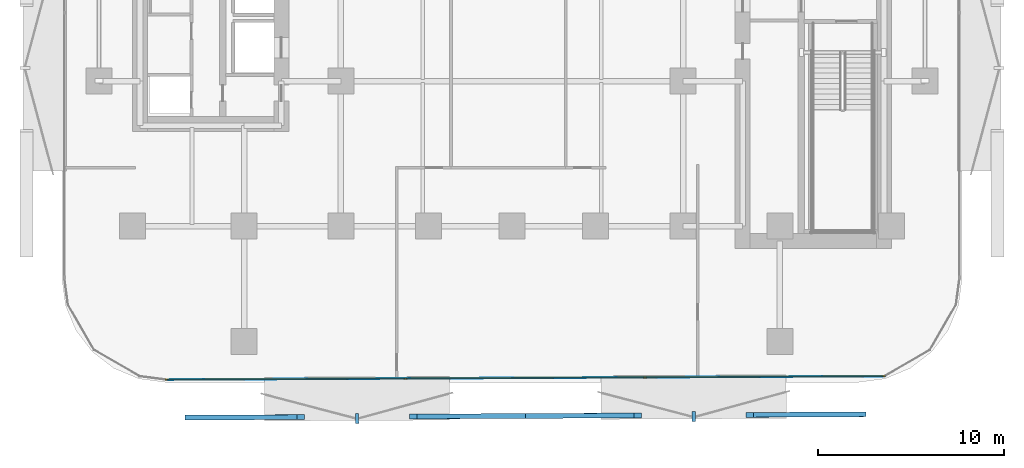
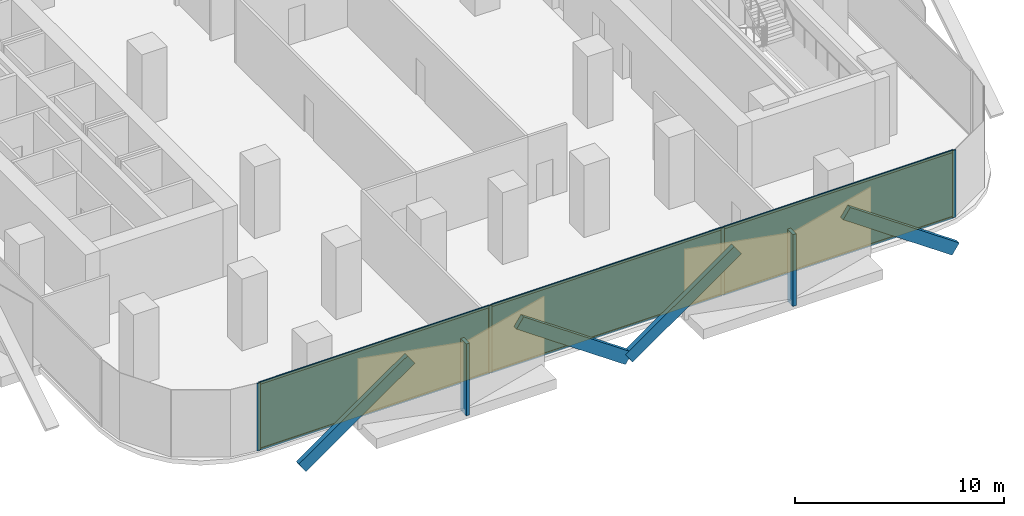
# One storey, part 7 of 15: 16 members, 3 plates, 1 curtain wall.
"""IFC4 building model written with IfcOpenShell, lengths in metres."""

from ifc_helpers import new_model, si_unit, direction, frame, frame_2d, origin, origin_2d, place, context, subcontext, project, spatial, rectangle, extrude, material, layer, layer_set, material_profile, profile_set, type_object, element, aggregate, save


model = new_model("IFC4")

# Units and contexts
model_context = context("Model", 3, precision=1e-05, world=origin(), true_north=direction((0.0, 1.0)))
body_context = subcontext(model_context, "Body", "Model", "MODEL_VIEW")
ifc_project = project(units=[si_unit("LENGTHUNIT", "METRE"), si_unit("AREAUNIT", "SQUARE_METRE"), si_unit("VOLUMEUNIT", "CUBIC_METRE"), si_unit("PLANEANGLEUNIT", "RADIAN"), si_unit("MASSUNIT", "GRAM", prefix="KILO")], contexts=[model_context])

# Member
ifc_material_1 = material(Name="Anodised Bronze Aluminium 6063-T6", Category="aluminium")
ifc_material_profile_1 = material_profile(ifc_material_1, rectangle(XDim=0.260009765625, YDim=0.699951171875, at=origin_2d()))
ifc_profile_set_1 = profile_set([ifc_material_profile_1], Name="Anodised Bronze Aluminium 6063-T6")
member_type_1 = type_object("IfcMemberType", Name="Bronze Diamond Solar-Screen Lattice Rib BDL-700", PredefinedType="MULLION", material=ifc_profile_set_1)
site_placement = place(None, origin())
building_placement = place(site_placement, origin())
storey_placement = place(building_placement, frame((0.0, 0.0, 38.60009765625)))
member_1_placement = place(storey_placement, frame((18.82275390625, -28.718505859375, -0.130126953125), z_axis=(-0.820743653079, -0.003984998518, 0.57128274586), x_axis=(-0.00764700594, 0.999962717129, -0.004010941449)))
member_1 = element("IfcMember", 1, at=member_1_placement, type_object=member_type_1, Name="L09 Bronze Diamond Solar Screen Lattice Rib 25A", PredefinedType="MULLION", context=body_context, shape_type="SweptSolid", body=[
    extrude(rectangle(XDim=0.260009765625, YDim=0.699951171875, at=origin_2d()), origin(), (0.0, 0.0, 1.0), 7.351806640625),
])

member_2_placement = place(storey_placement, frame((0.720947265625, -28.806396484375, -0.130126953125), z_axis=(0.820743653079, 0.003984998518, 0.57128274586), x_axis=(0.00764700594, -0.999962717129, -0.004010941449)))
member_2 = element("IfcMember", 2, at=member_2_placement, type_object=member_type_1, Name="L09 Bronze Diamond Solar Screen Lattice Rib 25B", PredefinedType="MULLION", context=body_context, shape_type="SweptSolid", body=[
    extrude(rectangle(XDim=0.260009765625, YDim=0.699951171875, at=origin_2d()), origin(), (0.0, 0.0, 1.0), 7.351806640625),
])

member_3_placement = place(storey_placement, frame((0.720947265625, -28.806396484375, -0.130126953125), z_axis=(-0.820743653079, -0.003984998518, 0.57128274586), x_axis=(-0.00764700594, 0.999962717129, -0.004010941449)))
member_3 = element("IfcMember", 3, at=member_3_placement, type_object=member_type_1, Name="L09 Bronze Diamond Solar Screen Lattice Rib 26A", PredefinedType="MULLION", context=body_context, shape_type="SweptSolid", body=[
    extrude(rectangle(XDim=0.260009765625, YDim=0.699951171875, at=origin_2d()), origin(), (0.0, 0.0, 1.0), 7.351806640625),
])

member_4_placement = place(storey_placement, frame((-17.380859375, -28.894287109375, -0.130126953125), z_axis=(0.820743653079, 0.003984998518, 0.57128274586), x_axis=(0.00764700594, -0.999962717129, -0.004010941449)))
member_4 = element("IfcMember", 4, at=member_4_placement, type_object=member_type_1, Name="L09 Bronze Diamond Solar Screen Lattice Rib 26B", PredefinedType="MULLION", context=body_context, shape_type="SweptSolid", body=[
    extrude(rectangle(XDim=0.260009765625, YDim=0.699951171875, at=origin_2d()), origin(), (0.0, 0.0, 1.0), 7.351806640625),
])

ifc_material_2 = material(Name="Anodised Bronze Aluminium 6063-T6", Category="aluminium")
ifc_material_profile_2 = material_profile(ifc_material_2, rectangle(XDim=0.179931640625, YDim=0.5400390625, at=origin_2d()))
ifc_profile_set_2 = profile_set([ifc_material_profile_2], Name="Anodised Bronze Aluminium 6063-T6")
member_type_2 = type_object("IfcMemberType", Name="Bronze Solar-Screen Vertical Fold Fin BSF-540", PredefinedType="MULLION", material=ifc_profile_set_2)
member_5_placement = place(storey_placement, frame((9.772216796875, -28.842529296875, -0.130126953125), z_axis=(0.0, 0.0, 1.0), x_axis=(-0.999988059021, -0.004886902454, 0.0)))
member_5 = element("IfcMember", 5, at=member_5_placement, type_object=member_type_2, Name="L09 Bronze Solar Screen Vertical Fin 25", PredefinedType="MULLION", context=body_context, shape_type="SweptSolid", body=[
    extrude(rectangle(XDim=0.179931640625, YDim=0.5400390625, at=origin_2d()), origin(), (0.0, 0.0, 1.0), 4.199951171875),
])

member_6_placement = place(storey_placement, frame((-8.32958984375, -28.930419921875, -0.130126953125), z_axis=(0.0, 0.0, 1.0), x_axis=(-0.999988059021, -0.004886902454, 0.0)))
member_6 = element("IfcMember", 6, at=member_6_placement, type_object=member_type_2, Name="L09 Bronze Solar Screen Vertical Fin 26", PredefinedType="MULLION", context=body_context, shape_type="SweptSolid", body=[
    extrude(rectangle(XDim=0.179931640625, YDim=0.5400390625, at=origin_2d()), origin(), (0.0, 0.0, 1.0), 4.199951171875),
])

ifc_material_3 = material(Name="Anodised Bronze Aluminium 6063-T6", Category="aluminium")
ifc_material_profile_3 = material_profile(ifc_material_3, rectangle(XDim=0.06494140625, YDim=0.179931640625, at=origin_2d()))
ifc_profile_set_3 = profile_set([ifc_material_profile_3], Name="Anodised Bronze Aluminium 6063-T6")
member_type_3 = type_object("IfcMemberType", Name="CW-Z1 Mullion 65x180", PredefinedType="MULLION", material=ifc_profile_set_3)
member_7_placement = place(storey_placement, frame((19.98046875, -26.6728515625, 0.0), z_axis=(0.0, 0.0, 1.0), x_axis=(0.004849219095, -0.999988242468, 0.0)))
member_7 = element("IfcMember", 7, at=member_7_placement, type_object=member_type_3, Name="CW-Z1 mullion 1", PredefinedType="MULLION", context=body_context, shape_type="SweptSolid", body=[
    extrude(rectangle(XDim=0.06494140625, YDim=0.179931640625, at=origin_2d()), origin(), (0.0, 0.0, 1.0), 3.93994140625),
])

member_8_placement = place(storey_placement, frame((7.14501953125, -26.735107421875, 0.0), z_axis=(0.0, 0.0, 1.0), x_axis=(0.004849219095, -0.999988242468, 0.0)))
member_8 = element("IfcMember", 8, at=member_8_placement, type_object=member_type_3, Name="CW-Z1 mullion 2", PredefinedType="MULLION", context=body_context, shape_type="SweptSolid", body=[
    extrude(rectangle(XDim=0.06494140625, YDim=0.179931640625, at=origin_2d()), origin(), (0.0, 0.0, 1.0), 3.93994140625),
])

member_9_placement = place(storey_placement, frame((-5.722900390625, -26.797607421875, 0.0), z_axis=(0.0, 0.0, 1.0), x_axis=(0.004849219095, -0.999988242468, 0.0)))
member_9 = element("IfcMember", 9, at=member_9_placement, type_object=member_type_3, Name="CW-Z1 mullion 3", PredefinedType="MULLION", context=body_context, shape_type="SweptSolid", body=[
    extrude(rectangle(XDim=0.06494140625, YDim=0.179931640625, at=origin_2d()), origin(), (0.0, 0.0, 1.0), 3.93994140625),
])

member_10_placement = place(storey_placement, frame((-18.558349609375, -26.85986328125, 0.0), z_axis=(0.0, 0.0, 1.0), x_axis=(0.004849219095, -0.999988242468, 0.0)))
member_10 = element("IfcMember", 10, at=member_10_placement, type_object=member_type_3, Name="CW-Z1 mullion 4", PredefinedType="MULLION", context=body_context, shape_type="SweptSolid", body=[
    extrude(rectangle(XDim=0.06494140625, YDim=0.179931640625, at=origin_2d()), origin(), (0.0, 0.0, 1.0), 3.93994140625),
])

ifc_material_4 = material(Name="Anodised Bronze Aluminium 6063-T6", Category="aluminium")
ifc_material_profile_4 = material_profile(ifc_material_4, rectangle(XDim=0.06494140625, YDim=0.139892578125, at=origin_2d()))
ifc_profile_set_4 = profile_set([ifc_material_profile_4], Name="Anodised Bronze Aluminium 6063-T6")
member_type_4 = type_object("IfcMemberType", Name="CW-Z1 Transom 65x140", PredefinedType="USERDEFINED", material=ifc_profile_set_4)
member_11_placement = place(storey_placement, frame((19.947998046875, -26.673095703125, 0.032470703125), z_axis=(-0.99998821055, -0.004855796541, 0.0), x_axis=(0.004855796541, -0.99998821055, 0.0)))
member_11 = element("IfcMember", 11, at=member_11_placement, type_object=member_type_4, Name="CW-Z1 transom 1.1", ObjectType="TRANSOM", PredefinedType="USERDEFINED", context=body_context, shape_type="SweptSolid", body=[
    extrude(rectangle(XDim=0.06494140625, YDim=0.139892578125, at=origin_2d()), origin(), (0.0, 0.0, 1.0), 12.770751953125),
])

member_12_placement = place(storey_placement, frame((19.947998046875, -26.673095703125, 3.907470703125), z_axis=(-0.99998821055, -0.004855796541, 0.0), x_axis=(0.004855796541, -0.99998821055, 0.0)))
member_12 = element("IfcMember", 12, at=member_12_placement, type_object=member_type_4, Name="CW-Z1 transom 1.2", ObjectType="TRANSOM", PredefinedType="USERDEFINED", context=body_context, shape_type="SweptSolid", body=[
    extrude(rectangle(XDim=0.06494140625, YDim=0.139892578125, at=origin_2d()), origin(), (0.0, 0.0, 1.0), 12.770751953125),
])

member_13_placement = place(storey_placement, frame((7.112548828125, -26.7353515625, 0.032470703125), z_axis=(-0.999988270274, -0.004843481639, 0.0), x_axis=(0.004843481639, -0.999988270274, 0.0)))
member_13 = element("IfcMember", 13, at=member_13_placement, type_object=member_type_4, Name="CW-Z1 transom 2.1", ObjectType="TRANSOM", PredefinedType="USERDEFINED", context=body_context, shape_type="SweptSolid", body=[
    extrude(rectangle(XDim=0.06494140625, YDim=0.139892578125, at=origin_2d()), origin(), (0.0, 0.0, 1.0), 12.80322265625),
])

member_14_placement = place(storey_placement, frame((7.112548828125, -26.7353515625, 3.907470703125), z_axis=(-0.999988270274, -0.004843481639, 0.0), x_axis=(0.004843481639, -0.999988270274, 0.0)))
member_14 = element("IfcMember", 14, at=member_14_placement, type_object=member_type_4, Name="CW-Z1 transom 2.2", ObjectType="TRANSOM", PredefinedType="USERDEFINED", context=body_context, shape_type="SweptSolid", body=[
    extrude(rectangle(XDim=0.06494140625, YDim=0.139892578125, at=origin_2d()), origin(), (0.0, 0.0, 1.0), 12.80322265625),
])

member_15_placement = place(storey_placement, frame((-5.75537109375, -26.7978515625, 0.032470703125), z_axis=(-0.999988303196, -0.00483667968, 0.0), x_axis=(0.00483667968, -0.999988303196, 0.0)))
member_15 = element("IfcMember", 15, at=member_15_placement, type_object=member_type_4, Name="CW-Z1 transom 3.1", ObjectType="TRANSOM", PredefinedType="USERDEFINED", context=body_context, shape_type="SweptSolid", body=[
    extrude(rectangle(XDim=0.06494140625, YDim=0.139892578125, at=origin_2d()), origin(), (0.0, 0.0, 1.0), 12.770751953125),
])

member_16_placement = place(storey_placement, frame((-5.75537109375, -26.7978515625, 3.907470703125), z_axis=(-0.999988303196, -0.00483667968, 0.0), x_axis=(0.00483667968, -0.999988303196, 0.0)))
member_16 = element("IfcMember", 16, at=member_16_placement, type_object=member_type_4, Name="CW-Z1 transom 3.2", ObjectType="TRANSOM", PredefinedType="USERDEFINED", context=body_context, shape_type="SweptSolid", body=[
    extrude(rectangle(XDim=0.06494140625, YDim=0.139892578125, at=origin_2d()), origin(), (0.0, 0.0, 1.0), 12.770751953125),
])

# Plate
ifc_material_5 = material(Name="Low-E Solar Control Laminated Glass", Category="glass")
ifc_layer_1 = layer(ifc_material_5, 0.028076171875, Name="Low-E Solar Control Laminated Glass")
ifc_layer_set_1 = layer_set([ifc_layer_1], Name="Low-E Solar Control Laminated Glass")
plate_type = type_object("IfcPlateType", Name="CW-Z1 Low-E Double Glazed Panel 28mm", PredefinedType="CURTAIN_PANEL", material=ifc_layer_set_1)
plate_1_placement = place(storey_placement, frame((13.562744140625, -26.7041015625, 0.06494140625), z_axis=(0.0, 0.0, 1.0), x_axis=(-0.999988242468, -0.004849219095, 0.0)))
plate_1 = element("IfcPlate", 17, at=plate_1_placement, type_object=plate_type, Name="CW-Z1 panel 1.1", PredefinedType="CURTAIN_PANEL", context=body_context, shape_type="SweptSolid", body=[
    extrude(rectangle(XDim=12.7705078125, YDim=0.028076171875, at=origin_2d()), origin(), (0.0, 0.0, 1.0), 3.81005859375),
])

plate_2_placement = place(storey_placement, frame((0.7109375, -26.766357421875, 0.06494140625), z_axis=(0.0, 0.0, 1.0), x_axis=(-0.999988242468, -0.004849219095, 0.0)))
plate_2 = element("IfcPlate", 18, at=plate_2_placement, type_object=plate_type, Name="CW-Z1 panel 2.1", PredefinedType="CURTAIN_PANEL", context=body_context, shape_type="SweptSolid", body=[
    extrude(rectangle(XDim=12.802978515625, YDim=0.028076171875, at=origin_2d()), origin(), (0.0, 0.0, 1.0), 3.81005859375),
])

plate_3_placement = place(storey_placement, frame((-12.140625, -26.82861328125, 0.06494140625), z_axis=(0.0, 0.0, 1.0), x_axis=(-0.999988242468, -0.004849219095, 0.0)))
plate_3 = element("IfcPlate", 19, at=plate_3_placement, type_object=plate_type, Name="CW-Z1 panel 3.1", PredefinedType="CURTAIN_PANEL", context=body_context, shape_type="SweptSolid", body=[
    extrude(rectangle(XDim=12.7705078125, YDim=0.028076171875, at=origin_2d()), origin(), (0.0, 0.0, 1.0), 3.81005859375),
])

# Site, building, storey
site = spatial("IfcSite", under=ifc_project, at=site_placement, CompositionType="ELEMENT")
building = spatial("IfcBuilding", under=site, at=building_placement, Name="Khairoan Windgate Tower", CompositionType="ELEMENT")
storey = spatial("IfcBuildingStorey", under=building, at=storey_placement, Name="L09", CompositionType="ELEMENT", Elevation=38.60009765625)

# Curtain wall
ifc_material_6 = material(Name="Anodised Bronze Aluminium 6063-T6", Category="aluminium")
ifc_layer_2 = layer(ifc_material_6, 0.179931640625, Name="Anodised Bronze Aluminium 6063-T6")
ifc_layer_set_2 = layer_set([ifc_layer_2], Name="Anodised Bronze Aluminium 6063-T6")
curtain_wall_type = type_object("IfcCurtainWallType", Name="Low-Rise Office Unitised Curtain Wall CW-Z1", PredefinedType="NOTDEFINED", material=ifc_layer_set_2)
curtain_wall_placement = place(storey_placement, frame((20.012939453125, -26.6728515625, 0.0), z_axis=(0.0, 0.0, 1.0), x_axis=(-0.999988235487, -0.004850658525, 0.0)))
curtain_wall = element("IfcCurtainWall", 20, at=curtain_wall_placement, inside=storey, type_object=curtain_wall_type, Name="L09 Unitised Curtain Wall 1", PredefinedType="NOTDEFINED", context=body_context, shape_type="SweptSolid", body=[
    extrude(rectangle(XDim=38.604248046875, YDim=0.010009765625, at=frame_2d((19.30224609375, 0.0))), origin(), (0.0, 0.0, 1.0), 3.93994140625),
])

aggregate(curtain_wall, [member_7, member_8, member_9, member_10, member_11, member_12, plate_1, member_13, member_14, plate_2, member_15, member_16, plate_3, member_1, member_2, member_5, member_3, member_4, member_6])

save(model, "model.ifc")
